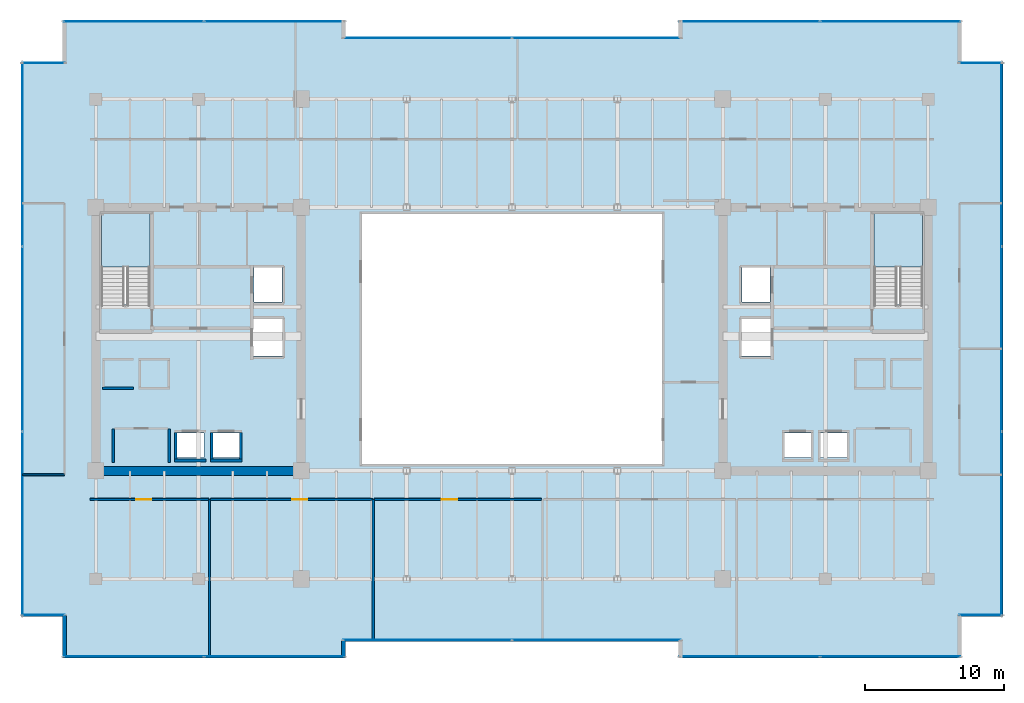
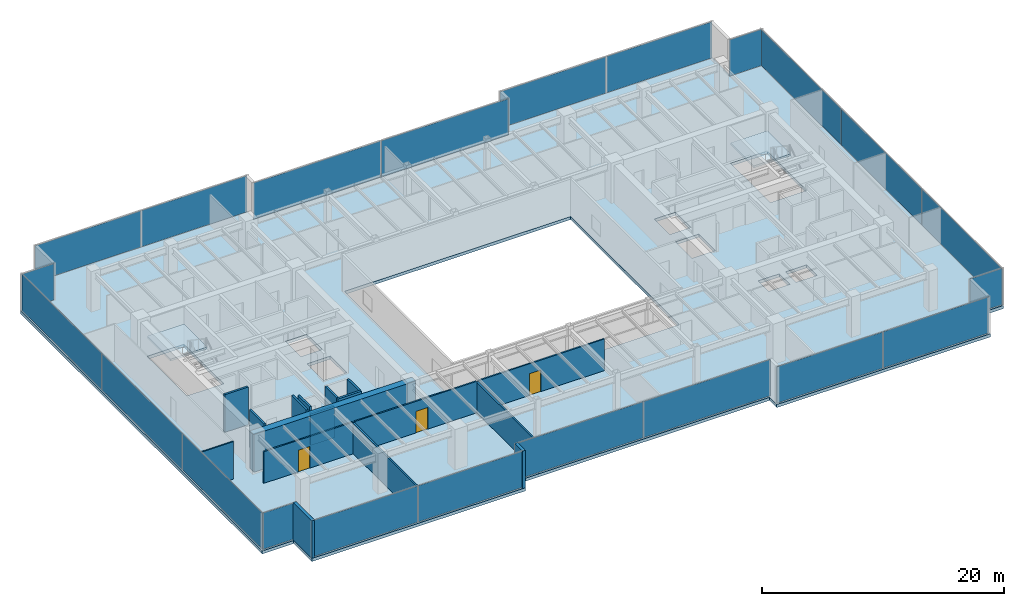
# One storey, part 24 of 30: 22 plates, 17 walls, 3 doors, 3 slabs, 3 openings, 14 elements without a shape of their own.
"""IFC4 building model written with IfcOpenShell, lengths in metres."""

from ifc_helpers import new_model, si_unit, direction, frame, frame_2d, origin, origin_2d, place, context, subcontext, project, spatial, polyline, rectangle, outline, extrude, source, transform, mapped, material, layer, layer_set, type_object, type_shapes, element, fill, aggregate, save


model = new_model("IFC4")

# Units and contexts
model_context = context("Model", 3, precision=1e-05, world=origin(), true_north=direction((0.0, 1.0)))
body_context = subcontext(model_context, "Body", "Model", "MODEL_VIEW")
ifc_project = project(units=[si_unit("LENGTHUNIT", "METRE"), si_unit("AREAUNIT", "SQUARE_METRE"), si_unit("VOLUMEUNIT", "CUBIC_METRE"), si_unit("PLANEANGLEUNIT", "RADIAN"), si_unit("MASSUNIT", "GRAM", prefix="KILO")], contexts=[model_context])

# Site, building, storey
site_placement = place(None, origin())
site = spatial("IfcSite", under=ifc_project, at=site_placement, CompositionType="ELEMENT")
building_placement = place(site_placement, origin())
building = spatial("IfcBuilding", under=site, at=building_placement, Name="Haelvirn Gate Laboratories", CompositionType="ELEMENT")
storey_placement = place(building_placement, frame((0.0, 0.0, 183.0)))
storey = spatial("IfcBuildingStorey", under=building, at=storey_placement, Name="L44", CompositionType="ELEMENT", Elevation=183.0)

# Stair, slab
ifc_material_1 = material(Name="Concrete C40/50", Category="concrete")
stair_type = type_object("IfcStairType", Name="ST-DOG-1650-R22", PredefinedType="HALF_TURN_STAIR", material=ifc_material_1)
stair_1_placement = place(storey_placement, origin())
stair_1 = element("IfcStair", 1, at=stair_1_placement, inside=storey, type_object=stair_type, Name="L44 Escape Stair ST1", PredefinedType="HALF_TURN_STAIR")
ifc_layer_1 = layer(ifc_material_1, 0.199951171875, Name="SL-STAIR-LND")
ifc_layer_set_1 = layer_set([ifc_layer_1], Name="Concrete C40/50")
slab_type_1 = type_object("IfcSlabType", Name="SL-STAIR-LND", PredefinedType="LANDING", material=ifc_layer_set_1)
slab_1_placement = place(storey_placement, frame((0.0, 0.0, 1.85009765625)))
slab_1 = element("IfcSlab", 2, at=slab_1_placement, type_object=slab_type_1, Name="ST1 landing 1", PredefinedType="LANDING", context=body_context, shape_type="SweptSolid", body=[
    extrude(outline(polyline([(11.300048828125, 29.5), (11.300048828125, 33.35009765625), (7.800048828125, 33.35009765625), (7.800048828125, 29.5), (11.300048828125, 29.5)])), origin(), (0.0, 0.0, 1.0), 0.199951171875),
])
aggregate(stair_1, [slab_1])

stair_2_placement = place(storey_placement, origin())
stair_2 = element("IfcStair", 3, at=stair_2_placement, inside=storey, type_object=stair_type, Name="L44 Escape Stair ST2", PredefinedType="HALF_TURN_STAIR")
slab_2_placement = place(storey_placement, frame((0.0, 0.0, 1.85009765625)))
slab_2 = element("IfcSlab", 4, at=slab_2_placement, type_object=slab_type_1, Name="ST2 landing 1", PredefinedType="LANDING", context=body_context, shape_type="SweptSolid", body=[
    extrude(outline(polyline([(67.0, 29.5), (67.0, 33.35009765625), (63.5, 33.35009765625), (63.5, 29.5), (67.0, 29.5)])), origin(), (0.0, 0.0, 1.0), 0.199951171875),
])
aggregate(stair_2, [slab_2])

# Slab
ifc_layer_2 = layer(ifc_material_1, 0.31005859375, Name="SL-Z2-310")
ifc_layer_set_2 = layer_set([ifc_layer_2], Name="Concrete C40/50")
slab_type_2 = type_object("IfcSlabType", Name="SL-Z2-310", PredefinedType="FLOOR", material=ifc_layer_set_2)
slab_3_placement = place(storey_placement, frame((0.0, 0.0, -0.31005859375)))
element("IfcSlab", 5, at=slab_3_placement, inside=storey, type_object=slab_type_2, Name="L44 Structural Slab MAIN", PredefinedType="FLOOR", context=body_context, shape_type="SweptSolid", body=[
    extrude(outline(polyline([(5.0, 1.300048828125), (25.39990234375, 1.300048828125), (25.39990234375, 2.5), (49.39990234375, 2.5), (49.39990234375, 1.300048828125), (69.800048828125, 1.300048828125), (69.800048828125, 4.300048828125), (72.800048828125, 4.300048828125), (72.800048828125, 44.300048828125), (69.800048828125, 44.300048828125), (69.800048828125, 47.300048828125), (49.39990234375, 47.300048828125), (49.39990234375, 46.10009765625), (25.39990234375, 46.10009765625), (25.39990234375, 47.300048828125), (5.0, 47.300048828125), (5.0, 44.300048828125), (2.0, 44.300048828125), (2.0, 4.300048828125), (5.0, 4.300048828125), (5.0, 1.300048828125)]), holes=[polyline([(26.60009765625, 15.300048828125), (48.199951171875, 15.300048828125), (48.199951171875, 33.300048828125), (26.60009765625, 33.300048828125), (26.60009765625, 15.300048828125)]), polyline([(11.300048828125, 26.780029296875), (11.300048828125, 33.35009765625), (7.800048828125, 33.35009765625), (7.800048828125, 26.780029296875), (11.300048828125, 26.780029296875)]), polyline([(67.0, 26.780029296875), (67.0, 33.35009765625), (63.5, 33.35009765625), (63.5, 26.780029296875), (67.0, 26.780029296875)]), polyline([(13.18994140625, 15.77001953125), (15.2099609375, 15.77001953125), (15.2099609375, 17.510009765625), (13.18994140625, 17.510009765625), (13.18994140625, 15.77001953125)]), polyline([(15.7900390625, 15.77001953125), (17.81005859375, 15.77001953125), (17.81005859375, 17.510009765625), (15.7900390625, 17.510009765625), (15.7900390625, 15.77001953125)]), polyline([(18.7900390625, 26.969970703125), (20.81005859375, 26.969970703125), (20.81005859375, 29.510009765625), (18.7900390625, 29.510009765625), (18.7900390625, 26.969970703125)]), polyline([(18.68994140625, 23.070068359375), (20.909912109375, 23.070068359375), (20.909912109375, 25.81005859375), (18.68994140625, 25.81005859375), (18.68994140625, 23.070068359375)]), polyline([(59.590087890625, 15.77001953125), (61.610107421875, 15.77001953125), (61.610107421875, 17.510009765625), (59.590087890625, 17.510009765625), (59.590087890625, 15.77001953125)]), polyline([(56.989990234375, 15.77001953125), (59.010009765625, 15.77001953125), (59.010009765625, 17.510009765625), (56.989990234375, 17.510009765625), (56.989990234375, 15.77001953125)]), polyline([(53.989990234375, 26.969970703125), (56.010009765625, 26.969970703125), (56.010009765625, 29.510009765625), (53.989990234375, 29.510009765625), (53.989990234375, 26.969970703125)]), polyline([(53.889892578125, 23.070068359375), (56.110107421875, 23.070068359375), (56.110107421875, 25.81005859375), (53.889892578125, 25.81005859375), (53.889892578125, 23.070068359375)])]), origin(), (0.0, 0.0, 1.0), 0.31005859375),
])

# Curtain wall, plates
ifc_material_2 = material(Name="Anodised bronze unitised aluminium & triple low-E glass", Category="aluminium")
ifc_layer_3 = layer(ifc_material_2, 0.179931640625, Name="CW-SYS-3")
ifc_layer_set_3 = layer_set([ifc_layer_3], Name="Anodised bronze unitised aluminium & triple low-E glass")
curtain_wall_type_1 = type_object("IfcCurtainWallType", Name="CW-SYS-3", PredefinedType="NOTDEFINED", material=ifc_layer_set_3)
curtain_wall_1_placement = place(storey_placement, origin())
curtain_wall_1 = element("IfcCurtainWall", 6, at=curtain_wall_1_placement, inside=storey, type_object=curtain_wall_type_1, Name="L44 Unitised Curtain Wall CW-L44-P0-E00-1", PredefinedType="NOTDEFINED")
ifc_material_3 = material(Name="High-selectivity bronze triple IGU 40 mm", Category="glass")
ifc_layer_4 = layer(ifc_material_3, 0.0400390625, Name="CWP-IGU-40")
ifc_layer_set_4 = layer_set([ifc_layer_4], Name="High-selectivity bronze triple IGU 40 mm")
plate_type_1 = type_object("IfcPlateType", Name="CWP-IGU-40", PredefinedType="CURTAIN_PANEL", material=ifc_layer_set_4)
shared_shape_1 = source(origin(), body_context, "Body", "SweptSolid", [
    extrude(rectangle(XDim=10.08740234375, YDim=0.0400390625, at=origin_2d()), origin(), (0.0, 0.0, 1.0), 3.659912109375),
])
plate_1_placement = place(storey_placement, frame((10.11865234375, 1.39990234375, 0.06494140625), z_axis=(0.0, 0.0, 1.0), x_axis=(1.0, 0.0, 0.0)))
plate_1 = element("IfcPlate", 7, at=plate_1_placement, type_object=plate_type_1, Name="CW3 panel 1.1", PredefinedType="CURTAIN_PANEL", context=body_context, shape_type="MappedRepresentation", body=[
    mapped(shared_shape_1, transform((0.0, 0.0, 0.0), scale=1.0)),
])
plate_2_placement = place(storey_placement, frame((20.28125, 1.39990234375, 0.06494140625), z_axis=(0.0, 0.0, 1.0), x_axis=(1.0, 0.0, 0.0)))
plate_2 = element("IfcPlate", 8, at=plate_2_placement, type_object=plate_type_1, Name="CW3 panel 2.1", PredefinedType="CURTAIN_PANEL", context=body_context, shape_type="MappedRepresentation", body=[
    mapped(shared_shape_1, transform((0.0, 0.0, 0.0), scale=1.0)),
])
aggregate(curtain_wall_1, [plate_1, plate_2])

curtain_wall_2_placement = place(storey_placement, origin())
curtain_wall_2 = element("IfcCurtainWall", 9, at=curtain_wall_2_placement, inside=storey, type_object=curtain_wall_type_1, Name="L44 Unitised Curtain Wall CW-L44-P0-E04-1", PredefinedType="NOTDEFINED")
plate_3_placement = place(storey_placement, frame((54.518798828125, 1.39990234375, 0.06494140625), z_axis=(0.0, 0.0, 1.0), x_axis=(1.0, 0.0, 0.0)))
plate_3 = element("IfcPlate", 10, at=plate_3_placement, type_object=plate_type_1, Name="CW3 panel 1.1", PredefinedType="CURTAIN_PANEL", context=body_context, shape_type="MappedRepresentation", body=[
    mapped(shared_shape_1, transform((0.0, 0.0, 0.0), scale=1.0)),
])
plate_4_placement = place(storey_placement, frame((64.68115234375, 1.39990234375, 0.06494140625), z_axis=(0.0, 0.0, 1.0), x_axis=(1.0, 0.0, 0.0)))
plate_4 = element("IfcPlate", 11, at=plate_4_placement, type_object=plate_type_1, Name="CW3 panel 2.1", PredefinedType="CURTAIN_PANEL", context=body_context, shape_type="MappedRepresentation", body=[
    mapped(shared_shape_1, transform((0.0, 0.0, 0.0), scale=1.0)),
])
aggregate(curtain_wall_2, [plate_3, plate_4])

curtain_wall_3_placement = place(storey_placement, origin())
curtain_wall_3 = element("IfcCurtainWall", 12, at=curtain_wall_3_placement, inside=storey, type_object=curtain_wall_type_1, Name="L44 Unitised Curtain Wall CW-L44-P0-E10-1", PredefinedType="NOTDEFINED")
plate_5_placement = place(storey_placement, frame((54.518798828125, 47.199951171875, 0.06494140625), z_axis=(0.0, 0.0, 1.0), x_axis=(1.0, 0.0, 0.0)))
plate_5 = element("IfcPlate", 13, at=plate_5_placement, type_object=plate_type_1, Name="CW3 panel 1.1", PredefinedType="CURTAIN_PANEL", context=body_context, shape_type="MappedRepresentation", body=[
    mapped(shared_shape_1, transform((0.0, 0.0, 0.0), scale=1.0)),
])
plate_6_placement = place(storey_placement, frame((64.68115234375, 47.199951171875, 0.06494140625), z_axis=(0.0, 0.0, 1.0), x_axis=(1.0, 0.0, 0.0)))
plate_6 = element("IfcPlate", 14, at=plate_6_placement, type_object=plate_type_1, Name="CW3 panel 2.1", PredefinedType="CURTAIN_PANEL", context=body_context, shape_type="MappedRepresentation", body=[
    mapped(shared_shape_1, transform((0.0, 0.0, 0.0), scale=1.0)),
])
aggregate(curtain_wall_3, [plate_5, plate_6])

curtain_wall_4_placement = place(storey_placement, origin())
curtain_wall_4 = element("IfcCurtainWall", 15, at=curtain_wall_4_placement, inside=storey, type_object=curtain_wall_type_1, Name="L44 Unitised Curtain Wall CW-L44-P0-E14-1", PredefinedType="NOTDEFINED")
plate_7_placement = place(storey_placement, frame((10.11865234375, 47.199951171875, 0.06494140625), z_axis=(0.0, 0.0, 1.0), x_axis=(1.0, 0.0, 0.0)))
plate_7 = element("IfcPlate", 16, at=plate_7_placement, type_object=plate_type_1, Name="CW3 panel 1.1", PredefinedType="CURTAIN_PANEL", context=body_context, shape_type="MappedRepresentation", body=[
    mapped(shared_shape_1, transform((0.0, 0.0, 0.0), scale=1.0)),
])
plate_8_placement = place(storey_placement, frame((20.28125, 47.199951171875, 0.06494140625), z_axis=(0.0, 0.0, 1.0), x_axis=(1.0, 0.0, 0.0)))
plate_8 = element("IfcPlate", 17, at=plate_8_placement, type_object=plate_type_1, Name="CW3 panel 2.1", PredefinedType="CURTAIN_PANEL", context=body_context, shape_type="MappedRepresentation", body=[
    mapped(shared_shape_1, transform((0.0, 0.0, 0.0), scale=1.0)),
])
aggregate(curtain_wall_4, [plate_7, plate_8])

curtain_wall_5_placement = place(storey_placement, origin())
curtain_wall_5 = element("IfcCurtainWall", 18, at=curtain_wall_5_placement, inside=storey, type_object=curtain_wall_type_1, Name="L44 Unitised Curtain Wall CW-L44-P0-E02-1", PredefinedType="NOTDEFINED")
shared_shape_2 = source(origin(), body_context, "Body", "SweptSolid", [
    extrude(rectangle(XDim=12.12744140625, YDim=0.0400390625, at=origin_2d()), origin(), (0.0, 0.0, 1.0), 3.659912109375),
])
plate_9_placement = place(storey_placement, frame((31.298828125, 2.60009765625, 0.06494140625), z_axis=(0.0, 0.0, 1.0), x_axis=(1.0, 0.0, 0.0)))
plate_9 = element("IfcPlate", 19, at=plate_9_placement, type_object=plate_type_1, Name="CW3 panel 1.1", PredefinedType="CURTAIN_PANEL", context=body_context, shape_type="MappedRepresentation", body=[
    mapped(shared_shape_2, transform((0.0, 0.0, 0.0), scale=1.0)),
])
plate_10_placement = place(storey_placement, frame((43.501220703125, 2.60009765625, 0.06494140625), z_axis=(0.0, 0.0, 1.0), x_axis=(1.0, 0.0, 0.0)))
plate_10 = element("IfcPlate", 20, at=plate_10_placement, type_object=plate_type_1, Name="CW3 panel 2.1", PredefinedType="CURTAIN_PANEL", context=body_context, shape_type="MappedRepresentation", body=[
    mapped(shared_shape_2, transform((0.0, 0.0, 0.0), scale=1.0)),
])
aggregate(curtain_wall_5, [plate_9, plate_10])

curtain_wall_6_placement = place(storey_placement, origin())
curtain_wall_6 = element("IfcCurtainWall", 21, at=curtain_wall_6_placement, inside=storey, type_object=curtain_wall_type_1, Name="L44 Unitised Curtain Wall CW-L44-P0-E12-1", PredefinedType="NOTDEFINED")
plate_11_placement = place(storey_placement, frame((31.298828125, 46.0, 0.06494140625), z_axis=(0.0, 0.0, 1.0), x_axis=(1.0, 0.0, 0.0)))
plate_11 = element("IfcPlate", 22, at=plate_11_placement, type_object=plate_type_1, Name="CW3 panel 1.1", PredefinedType="CURTAIN_PANEL", context=body_context, shape_type="MappedRepresentation", body=[
    mapped(shared_shape_2, transform((0.0, 0.0, 0.0), scale=1.0)),
])
plate_12_placement = place(storey_placement, frame((43.501220703125, 46.0, 0.06494140625), z_axis=(0.0, 0.0, 1.0), x_axis=(1.0, 0.0, 0.0)))
plate_12 = element("IfcPlate", 23, at=plate_12_placement, type_object=plate_type_1, Name="CW3 panel 2.1", PredefinedType="CURTAIN_PANEL", context=body_context, shape_type="MappedRepresentation", body=[
    mapped(shared_shape_2, transform((0.0, 0.0, 0.0), scale=1.0)),
])
aggregate(curtain_wall_6, [plate_11, plate_12])

# Curtain wall, plate
ifc_layer_5 = layer(ifc_material_2, 0.181884765625, Name="CW-SYS-5")
ifc_layer_set_5 = layer_set([ifc_layer_5], Name="Anodised bronze unitised aluminium & triple low-E glass")
curtain_wall_type_2 = type_object("IfcCurtainWallType", Name="CW-SYS-5", PredefinedType="NOTDEFINED", material=ifc_layer_set_5)
curtain_wall_7_placement = place(storey_placement, origin())
curtain_wall_7 = element("IfcCurtainWall", 24, at=curtain_wall_7_placement, inside=storey, type_object=curtain_wall_type_2, Name="L44 Unitised Curtain Wall CW-L44-P0-E06-1", PredefinedType="NOTDEFINED")
ifc_material_4 = material(Name="Clear low-iron notched-corner triple IGU 42 mm", Category="glass")
ifc_layer_6 = layer(ifc_material_4, 0.0419921875, Name="CWP-NTC-42")
ifc_layer_set_6 = layer_set([ifc_layer_6], Name="Clear low-iron notched-corner triple IGU 42 mm")
plate_type_2 = type_object("IfcPlateType", Name="CWP-NTC-42", PredefinedType="CURTAIN_PANEL", material=ifc_layer_set_6)
shared_shape_3 = source(origin(), body_context, "Body", "SweptSolid", [
    extrude(rectangle(XDim=3.080078125, YDim=0.0419921875, at=origin_2d()), origin(), (0.0, 0.0, 1.0), 3.659912109375),
])
type_shapes(plate_type_2, [shared_shape_3])
plate_13_placement = place(storey_placement, frame((71.179931640625, 4.39990234375, 0.06494140625), z_axis=(0.0, 0.0, 1.0), x_axis=(1.0, 0.0, 0.0)))
plate_13 = element("IfcPlate", 25, at=plate_13_placement, type_object=plate_type_2, Name="CW5 panel 1.1", PredefinedType="CURTAIN_PANEL", context=body_context, shape_type="MappedRepresentation", body=[
    mapped(shared_shape_3, transform((0.0, 0.0, 0.0), scale=1.0)),
])
aggregate(curtain_wall_7, [plate_13])

curtain_wall_8_placement = place(storey_placement, origin())
curtain_wall_8 = element("IfcCurtainWall", 26, at=curtain_wall_8_placement, inside=storey, type_object=curtain_wall_type_2, Name="L44 Unitised Curtain Wall CW-L44-P0-E08-1", PredefinedType="NOTDEFINED")
plate_14_placement = place(storey_placement, frame((71.179931640625, 44.199951171875, 0.06494140625), z_axis=(0.0, 0.0, 1.0), x_axis=(1.0, 0.0, 0.0)))
plate_14 = element("IfcPlate", 27, at=plate_14_placement, type_object=plate_type_2, Name="CW5 panel 1.1", PredefinedType="CURTAIN_PANEL", context=body_context, shape_type="MappedRepresentation", body=[
    mapped(shared_shape_3, transform((0.0, 0.0, 0.0), scale=1.0)),
])
aggregate(curtain_wall_8, [plate_14])

curtain_wall_9_placement = place(storey_placement, origin())
curtain_wall_9 = element("IfcCurtainWall", 28, at=curtain_wall_9_placement, inside=storey, type_object=curtain_wall_type_2, Name="L44 Unitised Curtain Wall CW-L44-P0-E16-1", PredefinedType="NOTDEFINED")
plate_15_placement = place(storey_placement, frame((3.6201171875, 44.199951171875, 0.06494140625), z_axis=(0.0, 0.0, 1.0), x_axis=(1.0, 0.0, 0.0)))
plate_15 = element("IfcPlate", 29, at=plate_15_placement, type_object=plate_type_2, Name="CW5 panel 1.1", PredefinedType="CURTAIN_PANEL", context=body_context, shape_type="MappedRepresentation", body=[
    mapped(shared_shape_3, transform((0.0, 0.0, 0.0), scale=1.0)),
])
aggregate(curtain_wall_9, [plate_15])

curtain_wall_10_placement = place(storey_placement, origin())
curtain_wall_10 = element("IfcCurtainWall", 30, at=curtain_wall_10_placement, inside=storey, type_object=curtain_wall_type_2, Name="L44 Unitised Curtain Wall CW-L44-P0-E18-1", PredefinedType="NOTDEFINED")
plate_16_placement = place(storey_placement, frame((3.6201171875, 4.39990234375, 0.06494140625), z_axis=(0.0, 0.0, 1.0), x_axis=(1.0, 0.0, 0.0)))
plate_16 = element("IfcPlate", 31, at=plate_16_placement, type_object=plate_type_2, Name="CW5 panel 1.1", PredefinedType="CURTAIN_PANEL", context=body_context, shape_type="MappedRepresentation", body=[
    mapped(shared_shape_3, transform((0.0, 0.0, 0.0), scale=1.0)),
])
aggregate(curtain_wall_10, [plate_16])

# Curtain wall, plates
curtain_wall_11_placement = place(storey_placement, origin())
curtain_wall_11 = element("IfcCurtainWall", 32, at=curtain_wall_11_placement, inside=storey, type_object=curtain_wall_type_1, Name="L44 Unitised Curtain Wall CW-L44-P0-E07", PredefinedType="NOTDEFINED")
shared_shape_4 = source(origin(), body_context, "Body", "SweptSolid", [
    extrude(rectangle(XDim=13.220947265625, YDim=0.0400390625, at=origin_2d()), origin(), (0.0, 0.0, 1.0), 3.659912109375),
])
plate_17_placement = place(storey_placement, frame((72.699951171875, 10.9853515625, 0.06494140625), z_axis=(0.0, 0.0, 1.0), x_axis=(0.0, 1.0, 0.0)))
plate_17 = element("IfcPlate", 33, at=plate_17_placement, type_object=plate_type_1, Name="CW3 panel 1.1", PredefinedType="CURTAIN_PANEL", context=body_context, shape_type="MappedRepresentation", body=[
    mapped(shared_shape_4, transform((0.0, 0.0, 0.0), scale=1.0)),
])
plate_18_placement = place(storey_placement, frame((72.699951171875, 37.614501953125, 0.06494140625), z_axis=(0.0, 0.0, 1.0), x_axis=(0.0, 1.0, 0.0)))
plate_18 = element("IfcPlate", 34, at=plate_18_placement, type_object=plate_type_1, Name="CW3 panel 3.1", PredefinedType="CURTAIN_PANEL", context=body_context, shape_type="MappedRepresentation", body=[
    mapped(shared_shape_4, transform((0.0, 0.0, 0.0), scale=1.0)),
])

curtain_wall_12_placement = place(storey_placement, origin())
curtain_wall_12 = element("IfcCurtainWall", 35, at=curtain_wall_12_placement, inside=storey, type_object=curtain_wall_type_1, Name="L44 Unitised Curtain Wall CW-L44-P0-E17", PredefinedType="NOTDEFINED")
plate_19_placement = place(storey_placement, frame((2.10009765625, 37.614501953125, 0.06494140625), z_axis=(0.0, 0.0, 1.0), x_axis=(0.0, -1.0, 0.0)))
plate_19 = element("IfcPlate", 36, at=plate_19_placement, type_object=plate_type_1, Name="CW3 panel 1.1", PredefinedType="CURTAIN_PANEL", context=body_context, shape_type="MappedRepresentation", body=[
    mapped(shared_shape_4, transform((0.0, 0.0, 0.0), scale=1.0)),
])
plate_20_placement = place(storey_placement, frame((2.10009765625, 10.9853515625, 0.06494140625), z_axis=(0.0, 0.0, 1.0), x_axis=(0.0, -1.0, 0.0)))
plate_20 = element("IfcPlate", 37, at=plate_20_placement, type_object=plate_type_1, Name="CW3 panel 3.1", PredefinedType="CURTAIN_PANEL", context=body_context, shape_type="MappedRepresentation", body=[
    mapped(shared_shape_4, transform((0.0, 0.0, 0.0), scale=1.0)),
])

# Plate
shared_shape_5 = source(origin(), body_context, "Body", "SweptSolid", [
    extrude(rectangle(XDim=13.25830078125, YDim=0.0400390625, at=origin_2d()), origin(), (0.0, 0.0, 1.0), 3.659912109375),
])
type_shapes(plate_type_1, [shared_shape_1, shared_shape_2, shared_shape_4, shared_shape_5])
plate_21_placement = place(storey_placement, frame((72.699951171875, 24.300048828125, 0.06494140625), z_axis=(0.0, 0.0, 1.0), x_axis=(0.0, 1.0, 0.0)))
plate_21 = element("IfcPlate", 38, at=plate_21_placement, type_object=plate_type_1, Name="CW3 panel 2.1", PredefinedType="CURTAIN_PANEL", context=body_context, shape_type="MappedRepresentation", body=[
    mapped(shared_shape_5, transform((0.0, 0.0, 0.0), scale=1.0)),
])

aggregate(curtain_wall_11, [plate_17, plate_21, plate_18])

plate_22_placement = place(storey_placement, frame((2.10009765625, 24.300048828125, 0.06494140625), z_axis=(0.0, 0.0, 1.0), x_axis=(0.0, -1.0, 0.0)))
plate_22 = element("IfcPlate", 39, at=plate_22_placement, type_object=plate_type_1, Name="CW3 panel 2.1", PredefinedType="CURTAIN_PANEL", context=body_context, shape_type="MappedRepresentation", body=[
    mapped(shared_shape_5, transform((0.0, 0.0, 0.0), scale=1.0)),
])

aggregate(curtain_wall_12, [plate_19, plate_22, plate_20])

# Walls
ifc_material_5 = material(Name="Thermally-broken bronze aluminium rainscreen & mineral wool", Category="aluminium")
ifc_layer_7 = layer(ifc_material_5, 0.280029296875, Name="EW-TERR-280")
ifc_layer_set_7 = layer_set([ifc_layer_7], Name="Thermally-broken bronze aluminium rainscreen & mineral wool")
wall_type_1 = type_object("IfcWallType", Name="EW-TERR-280", PredefinedType="STANDARD", material=ifc_layer_set_7)
wall_1_placement = place(storey_placement, frame((25.260009765625, 1.300048828125, 0.0), z_axis=(0.0, 0.0, 1.0), x_axis=(0.0, 1.0, 0.0)))
element("IfcWall", 40, at=wall_1_placement, inside=storey, type_object=wall_type_1, Name="L44 Atrium Recess Bronze Return Wall 01", PredefinedType="STANDARD", context=body_context, shape_type="SweptSolid", body=[
    extrude(rectangle(XDim=1.287841796875, YDim=0.280029296875, at=frame_2d((0.64404296875, 0.0))), origin(), (0.0, 0.0, 1.0), 3.7900390625),
])
wall_2_placement = place(storey_placement, frame((5.139892578125, 4.387939453125, 0.0), z_axis=(0.0, 0.0, 1.0), x_axis=(0.0, -1.0, 0.0)))
element("IfcWall", 41, at=wall_2_placement, inside=storey, type_object=wall_type_1, Name="L44 Atrium Recess Bronze Return Wall 19", PredefinedType="STANDARD", context=body_context, shape_type="SweptSolid", body=[
    extrude(rectangle(XDim=3.087890625, YDim=0.280029296875, at=frame_2d((1.5439453125, 0.0))), origin(), (0.0, 0.0, 1.0), 3.7900390625),
])
ifc_material_6 = material(Name="Double-layer acoustic gypsum laboratory partition", Category="gypsum")
ifc_layer_8 = layer(ifc_material_6, 0.159912109375, Name="IW-ACOUST-160")
ifc_layer_set_8 = layer_set([ifc_layer_8], Name="Double-layer acoustic gypsum laboratory partition")
wall_type_2 = type_object("IfcWallType", Name="IW-ACOUST-160", PredefinedType="PARTITIONING", material=ifc_layer_set_8)
wall_3_placement = place(storey_placement, frame((15.60009765625, 1.409912109375, 0.0), z_axis=(0.0, 0.0, 1.0), x_axis=(0.0, 1.0, 0.0)))
element("IfcWall", 42, at=wall_3_placement, inside=storey, type_object=wall_type_2, Name="L44 Interior Wall IW-L44-SDIV-01", PredefinedType="PARTITIONING", context=body_context, shape_type="SweptSolid", body=[
    extrude(rectangle(XDim=11.330078125, YDim=0.159912109375, at=frame_2d((5.6650390625, 0.0))), origin(), (0.0, 0.0, 1.0), 3.074951171875),
])
wall_4_placement = place(storey_placement, frame((27.39990234375, 2.610107421875, 0.0), z_axis=(0.0, 0.0, 1.0), x_axis=(0.0, 1.0, 0.0)))
element("IfcWall", 43, at=wall_4_placement, inside=storey, type_object=wall_type_2, Name="L44 Interior Wall IW-L44-SDIV-02", PredefinedType="PARTITIONING", context=body_context, shape_type="SweptSolid", body=[
    extrude(rectangle(XDim=10.1298828125, YDim=0.159912109375, at=frame_2d((5.06494140625, 0.0))), origin(), (0.0, 0.0, 1.0), 3.074951171875),
])
ifc_material_7 = material(Name="Lightweight acoustic gypsum board partition", Category="gypsum")
ifc_layer_9 = layer(ifc_material_7, 0.1201171875, Name="IW-PART-120")
ifc_layer_set_9 = layer_set([ifc_layer_9], Name="Lightweight acoustic gypsum board partition")
wall_type_3 = type_object("IfcWallType", Name="IW-PART-120", PredefinedType="PARTITIONING", material=ifc_layer_set_9)
wall_5_placement = place(storey_placement, frame((2.110107421875, 14.514892578125, 0.0), z_axis=(0.0, 0.0, 1.0), x_axis=(1.0, 0.0, 0.0)))
element("IfcWall", 44, at=wall_5_placement, inside=storey, type_object=wall_type_3, Name="L44 Interior Wall IW-L44-WCAP-S", PredefinedType="PARTITIONING", context=body_context, shape_type="SweptSolid", body=[
    extrude(rectangle(XDim=3.019775390625, YDim=0.1201171875, at=frame_2d((1.509765625, 0.0))), origin(), (0.0, 0.0, 1.0), 3.7900390625),
])

# Wall, opening, door
ifc_material_8 = material(Name="Acoustic mineral-wool gypsum board partition", Category="gypsum")
ifc_layer_10 = layer(ifc_material_8, 0.139892578125, Name="IW-PART-140")
ifc_layer_set_10 = layer_set([ifc_layer_10], Name="Acoustic mineral-wool gypsum board partition")
wall_type_4 = type_object("IfcWallType", Name="IW-PART-140", PredefinedType="PARTITIONING", material=ifc_layer_set_10)
wall_6_placement = place(storey_placement, frame((6.97998046875, 12.739990234375, 0.0), z_axis=(0.0, 0.0, 1.0), x_axis=(1.0, 0.0, 0.0)))
wall_6 = element("IfcWall", 45, at=wall_6_placement, inside=storey, type_object=wall_type_4, Name="L44 Interior Wall IW-L44-SCORR-01", PredefinedType="PARTITIONING", context=body_context, shape_type="SweptSolid", body=[
    extrude(rectangle(XDim=8.5400390625, YDim=0.139892578125, at=frame_2d((4.27001953125, 0.0))), origin(), (0.0, 0.0, 1.0), 3.18701171875),
])
opening_1_placement = place(wall_6_placement, frame((3.315673828125, 0.0, 0.0)))
opening_1 = element("IfcOpeningElement", 46, at=opening_1_placement, cuts=wall_6, Name="Opening D1", PredefinedType="OPENING", context=body_context, shape_type="SweptSolid", body=[
    extrude(rectangle(XDim=1.10009765625, YDim=2.179931640625, at=frame_2d((0.550048828125, 1.08984375))), frame((0.0, 0.080078125, 0.0), z_axis=(0.0, -1.0, 0.0), x_axis=(1.0, 0.0, 0.0)), (0.0, 0.0, 1.0), 0.159912109375),
])
ifc_material_9 = material(Name="Vision-panel acoustic solid-core timber lab door", Category="wood")
door_type = type_object("IfcDoorType", Name="DR-LAB-1100", OperationType="NOTDEFINED", PredefinedType="DOOR", material=ifc_material_9)
shared_shape_6 = source(origin(), body_context, "Body", "SweptSolid", [
    extrude(rectangle(XDim=1.10009765625, YDim=2.179931640625, at=frame_2d((0.550048828125, 1.08984375))), frame((0.0, 0.02490234375, 0.0), z_axis=(0.0, -1.0, 0.0), x_axis=(1.0, 0.0, 0.0)), (0.0, 0.0, 1.0), 0.050048828125),
])
type_shapes(door_type, [shared_shape_6])
door_1_placement = place(opening_1_placement, origin())
door_1 = element("IfcDoor", 47, at=door_1_placement, inside=storey, type_object=door_type, Name="L44 Bioinformatics Dry-Lab Workspace Door S1", OperationType="SINGLE_SWING_LEFT", OverallHeight=2.179931640625, OverallWidth=1.10009765625, PredefinedType="DOOR", context=body_context, shape_type="MappedRepresentation", body=[
    mapped(shared_shape_6, transform((0.0, 0.0, 0.0), scale=1.0)),
])
fill(opening_1, door_1)

wall_7_placement = place(storey_placement, frame((15.679931640625, 12.739990234375, 0.0), z_axis=(0.0, 0.0, 1.0), x_axis=(1.0, 0.0, 0.0)))
wall_7 = element("IfcWall", 48, at=wall_7_placement, inside=storey, type_object=wall_type_4, Name="L44 Interior Wall IW-L44-SCORR-02", PredefinedType="PARTITIONING", context=body_context, shape_type="SweptSolid", body=[
    extrude(rectangle(XDim=11.64013671875, YDim=0.139892578125, at=frame_2d((5.820068359375, 0.0))), origin(), (0.0, 0.0, 1.0), 3.18701171875),
])
opening_2_placement = place(wall_7_placement, frame((5.8603515625, 0.0, 0.0)))
opening_2 = element("IfcOpeningElement", 49, at=opening_2_placement, cuts=wall_7, Name="Opening D1", PredefinedType="OPENING", context=body_context, shape_type="SweptSolid", body=[
    extrude(rectangle(XDim=1.10009765625, YDim=2.179931640625, at=frame_2d((0.550048828125, 1.08984375))), frame((0.0, 0.080078125, 0.0), z_axis=(0.0, -1.0, 0.0), x_axis=(1.0, 0.0, 0.0)), (0.0, 0.0, 1.0), 0.159912109375),
])
door_2_placement = place(opening_2_placement, origin())
door_2 = element("IfcDoor", 50, at=door_2_placement, inside=storey, type_object=door_type, Name="L44 Translational Data Office Door S2", OperationType="SINGLE_SWING_RIGHT", OverallHeight=2.179931640625, OverallWidth=1.10009765625, PredefinedType="DOOR", context=body_context, shape_type="MappedRepresentation", body=[
    mapped(shared_shape_6, transform((0.0, 0.0, 0.0), scale=1.0)),
])
fill(opening_2, door_2)

wall_8_placement = place(storey_placement, frame((27.47998046875, 12.739990234375, 0.0), z_axis=(0.0, 0.0, 1.0), x_axis=(1.0, 0.0, 0.0)))
wall_8 = element("IfcWall", 51, at=wall_8_placement, inside=storey, type_object=wall_type_4, Name="L44 Interior Wall IW-L44-SCORR-03", PredefinedType="PARTITIONING", context=body_context, shape_type="SweptSolid", body=[
    extrude(rectangle(XDim=12.0400390625, YDim=0.139892578125, at=frame_2d((6.02001953125, 0.0))), origin(), (0.0, 0.0, 1.0), 3.18701171875),
])
opening_3_placement = place(wall_8_placement, frame((4.855712890625, 0.0, 0.0)))
opening_3 = element("IfcOpeningElement", 52, at=opening_3_placement, cuts=wall_8, Name="Opening D1", PredefinedType="OPENING", context=body_context, shape_type="SweptSolid", body=[
    extrude(rectangle(XDim=1.10009765625, YDim=2.179931640625, at=frame_2d((0.550048828125, 1.08984375))), frame((0.0, 0.080078125, 0.0), z_axis=(0.0, -1.0, 0.0), x_axis=(1.0, 0.0, 0.0)), (0.0, 0.0, 1.0), 0.159912109375),
])
door_3_placement = place(opening_3_placement, origin())
door_3 = element("IfcDoor", 53, at=door_3_placement, inside=storey, type_object=door_type, Name="L44 Analytical Instrument Suite Door S3", OperationType="SINGLE_SWING_LEFT", OverallHeight=2.179931640625, OverallWidth=1.10009765625, PredefinedType="DOOR", context=body_context, shape_type="MappedRepresentation", body=[
    mapped(shared_shape_6, transform((0.0, 0.0, 0.0), scale=1.0)),
])
fill(opening_3, door_3)

# Walls
ifc_layer_11 = layer(ifc_material_1, 0.179931640625, Name="IW-SHAFT-180")
ifc_layer_set_11 = layer_set([ifc_layer_11], Name="Concrete C40/50")
wall_type_5 = type_object("IfcWallType", Name="IW-SHAFT-180", PredefinedType="SOLIDWALL", material=ifc_layer_set_11)
for number, where, z_axis, x_axis, name in (
    (54, (13.14990234375, 15.64990234375, 0.0), (0.0, 0.0, 1.0), (0.0, 1.0, 0.0), "L44 Interior Wall IW-L44-PL5-SD"),
    (55, (15.75, 15.64990234375, 0.0), (0.0, 0.0, 1.0), (0.0, 1.0, 0.0), "L44 Interior Wall IW-L44-PL6-SD"),
    (56, (17.85009765625, 15.64990234375, 0.0), (0.0, 0.0, 1.0), (0.0, 1.0, 0.0), "L44 Interior Wall IW-L44-PL6-SDE"),
):
    element("IfcWall", number, at=place(storey_placement, frame(where, z_axis=z_axis, x_axis=x_axis)), inside=storey, type_object=wall_type_5, Name=name, PredefinedType="SOLIDWALL", context=body_context, shape_type="SweptSolid", body=[
        extrude(rectangle(XDim=1.900146484375, YDim=0.179931640625, at=frame_2d((0.9501953125, 0.0))), origin(), (0.0, 0.0, 1.0), 3.7900390625),
    ])
for number, where, z_axis, x_axis, name in (
    (57, (12.68994140625, 15.39990234375, 0.0), (0.0, 0.0, 1.0), (0.0, 1.0, 0.0), "L44 Interior Wall IW-L44-W-FREED-LE-1"),
    (58, (8.659912109375, 15.39990234375, 0.0), (0.0, 0.0, 1.0), (0.0, 1.0, 0.0), "L44 Interior Wall IW-L44-W-FREED-LW-1"),
):
    element("IfcWall", number, at=place(storey_placement, frame(where, z_axis=z_axis, x_axis=x_axis)), inside=storey, type_object=wall_type_5, Name=name, PredefinedType="SOLIDWALL", context=body_context, shape_type="SweptSolid", body=[
        extrude(rectangle(XDim=2.400146484375, YDim=0.179931640625, at=frame_2d((1.2001953125, 0.0))), origin(), (0.0, 0.0, 1.0), 3.7900390625),
    ])
ifc_layer_12 = layer(ifc_material_1, 0.199951171875, Name="IW-SHAFT-200")
ifc_layer_set_12 = layer_set([ifc_layer_12], Name="Concrete C40/50")
wall_type_6 = type_object("IfcWallType", Name="IW-SHAFT-200", PredefinedType="SOLIDWALL", material=ifc_layer_set_12)
wall_9_placement = place(storey_placement, frame((13.070068359375, 15.550048828125, 0.0), z_axis=(0.0, 0.0, 1.0), x_axis=(1.0, 0.0, 0.0)))
element("IfcWall", 59, at=wall_9_placement, inside=storey, type_object=wall_type_6, Name="L44 Interior Wall IW-L44-PL5-BK", PredefinedType="SOLIDWALL", context=body_context, shape_type="SweptSolid", body=[
    extrude(rectangle(XDim=2.260009765625, YDim=0.199951171875, at=frame_2d((1.1298828125, 0.0))), origin(), (0.0, 0.0, 1.0), 3.18701171875),
])
wall_10_placement = place(storey_placement, frame((15.669921875, 15.550048828125, 0.0), z_axis=(0.0, 0.0, 1.0), x_axis=(1.0, 0.0, 0.0)))
element("IfcWall", 60, at=wall_10_placement, inside=storey, type_object=wall_type_6, Name="L44 Interior Wall IW-L44-PL6-BK", PredefinedType="SOLIDWALL", context=body_context, shape_type="SweptSolid", body=[
    extrude(rectangle(XDim=2.260009765625, YDim=0.199951171875, at=frame_2d((1.1298828125, 0.0))), origin(), (0.0, 0.0, 1.0), 3.7900390625),
])
wall_11_placement = place(storey_placement, frame((7.8701171875, 20.75, 0.0), z_axis=(0.0, 0.0, 1.0), x_axis=(1.0, 0.0, 0.0)))
element("IfcWall", 61, at=wall_11_placement, inside=storey, type_object=wall_type_6, Name="L44 Interior Wall IW-L44-PL9-FR", PredefinedType="SOLIDWALL", context=body_context, shape_type="SweptSolid", body=[
    extrude(rectangle(XDim=2.259765625, YDim=0.199951171875, at=frame_2d((1.1298828125, 0.0))), origin(), (0.0, 0.0, 1.0), 3.7900390625),
])
ifc_material_10 = material(Name="Concrete C60/75", Category="concrete")
ifc_layer_13 = layer(ifc_material_10, 0.64990234375, Name="SW-CORE-650")
ifc_layer_set_13 = layer_set([ifc_layer_13], Name="Concrete C60/75")
wall_type_7 = type_object("IfcWallType", Name="SW-CORE-650", PredefinedType="SHEAR", material=ifc_layer_set_13)
wall_12_placement = place(storey_placement, frame((7.074951171875, 14.800048828125, 0.0), z_axis=(0.0, 0.0, 1.0), x_axis=(1.0, 0.0, 0.0)))
element("IfcWall", 62, at=wall_12_placement, inside=storey, type_object=wall_type_7, Name="L44 W Core Shear Wall S", PredefinedType="SHEAR", context=body_context, shape_type="SweptSolid", body=[
    extrude(rectangle(XDim=15.449951171875, YDim=0.64990234375, at=frame_2d((7.72509765625, 0.0))), origin(), (0.0, 0.0, 1.0), 3.7900390625),
])

save(model, "model.ifc")
